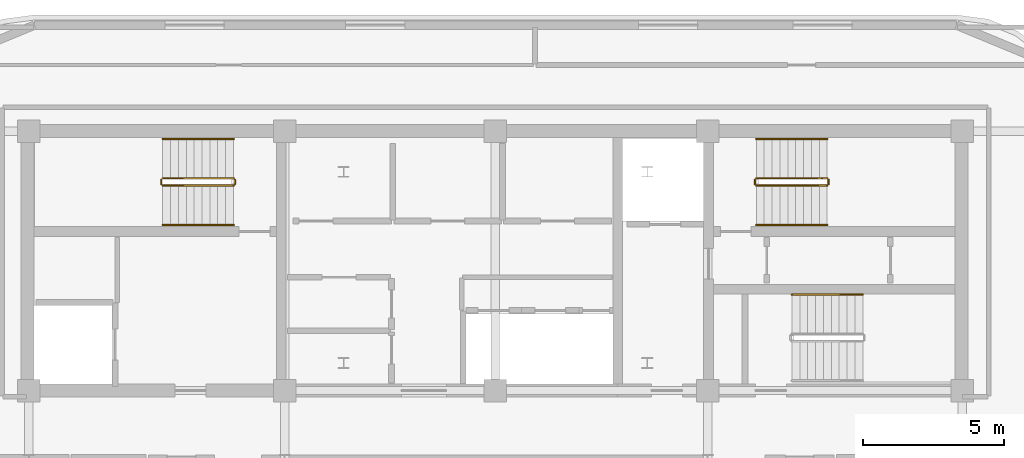
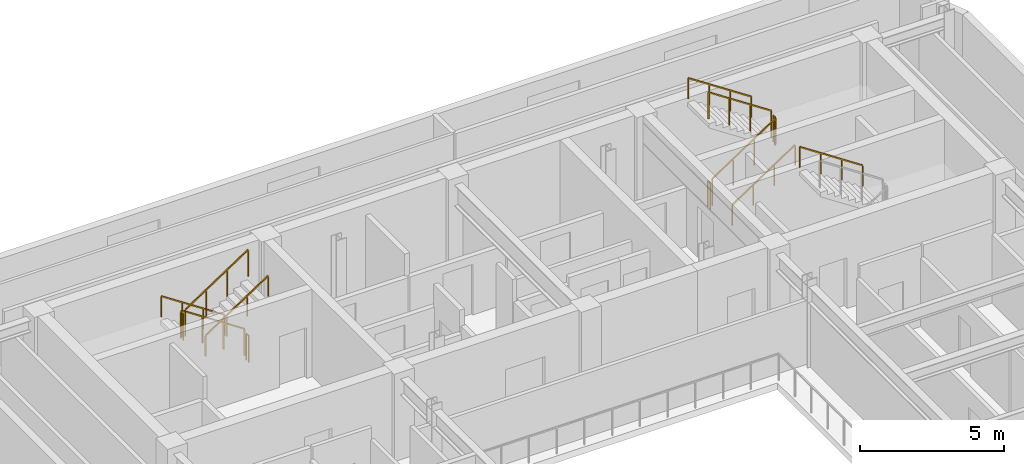
# One storey, part 13 of 13: 13 railings.
"""IFC4 building model written with IfcOpenShell, lengths in metres."""

from ifc_helpers import new_model, si_unit, direction, frame, origin, origin_2d, place, context, subcontext, project, spatial, rectangle, extrude, material, type_object, element, save


model = new_model("IFC4")

# Units and contexts
model_context = context("Model", 3, precision=1e-05, world=origin(), true_north=direction((0.0, 1.0)))
body_context = subcontext(model_context, "Body", "Model", "MODEL_VIEW")
ifc_project = project(units=[si_unit("LENGTHUNIT", "METRE"), si_unit("AREAUNIT", "SQUARE_METRE"), si_unit("VOLUMEUNIT", "CUBIC_METRE"), si_unit("PLANEANGLEUNIT", "RADIAN"), si_unit("MASSUNIT", "GRAM", prefix="KILO")], contexts=[model_context])

# Site, building, storey
site_placement = place(None, origin())
site = spatial("IfcSite", under=ifc_project, at=site_placement, CompositionType="ELEMENT")
building_placement = place(site_placement, origin())
building = spatial("IfcBuilding", under=site, at=building_placement, Name="Zarnavel Station Tower", CompositionType="ELEMENT")
storey_placement = place(building_placement, frame((0.0, 0.0, 254.699951171875)))
storey = spatial("IfcBuildingStorey", under=building, at=storey_placement, Name="L69", CompositionType="ELEMENT", Elevation=254.699951171875)

# Railings
ifc_material_1 = material(Name="Painted Steel S355J2 Balustrade", Category="steel")
railing_type_1 = type_object("IfcRailingType", Name="GR_INT_1150", PredefinedType="GUARDRAIL", material=ifc_material_1)
railing_1_placement = place(storey_placement, frame((19.47998046875, 35.3701171875, 0.18505859375)))
element("IfcRailing", 1, at=railing_1_placement, inside=storey, type_object=railing_type_1, Name="L69 ST1 stair guard 1", PredefinedType="GUARDRAIL", context=body_context, shape_type="SweptSolid", body=[
    extrude(rectangle(XDim=0.048095703125, YDim=0.048095703125, at=origin_2d()), frame((-0.001708984375, 0.0, 1.126953125), z_axis=(-0.834331337432, 0.0, 0.55126329406), x_axis=(0.0, -1.0, 0.0)), (0.0, 0.0, 1.0), 3.016357421875),
    extrude(rectangle(XDim=0.0419921875, YDim=0.0419921875, at=origin_2d()), origin(), (0.0, 0.0, 1.0), 1.101806640625),
    extrude(rectangle(XDim=0.0419921875, YDim=0.0419921875, at=origin_2d()), frame((-0.840087890625, 0.0, 0.554931640625)), (0.0, 0.0, 1.0), 1.101806640625),
    extrude(rectangle(XDim=0.0419921875, YDim=0.0419921875, at=origin_2d()), frame((-1.679931640625, 0.0, 1.110107421875)), (0.0, 0.0, 1.0), 1.101806640625),
    extrude(rectangle(XDim=0.0419921875, YDim=0.0419921875, at=origin_2d()), frame((-2.52001953125, 0.0, 1.6650390625)), (0.0, 0.0, 1.0), 1.101806640625),
])
railing_2_placement = place(storey_placement, frame((16.909912109375, 35.320068359375, 1.85009765625)))
element("IfcRailing", 2, at=railing_2_placement, inside=storey, type_object=railing_type_1, Name="L69 ST1 stair guard 2", PredefinedType="GUARDRAIL", context=body_context, shape_type="SweptSolid", body=[
    extrude(rectangle(XDim=0.048095703125, YDim=0.048095703125, at=origin_2d()), frame((0.0, -0.001953125, 1.1259765625), z_axis=(0.0, -1.0, 0.0), x_axis=(1.0, 0.0, 0.0)), (0.0, 0.0, 1.0), 0.15625),
    extrude(rectangle(XDim=0.0419921875, YDim=0.0419921875, at=origin_2d()), origin(), (0.0, 0.0, 1.0), 1.101806640625),
    extrude(rectangle(XDim=0.0419921875, YDim=0.0419921875, at=origin_2d()), frame((0.0, -0.16015625, 0.0)), (0.0, 0.0, 1.0), 1.101806640625),
])
railing_3_placement = place(storey_placement, frame((16.9599609375, 35.110107421875, 2.03515625)))
element("IfcRailing", 3, at=railing_3_placement, inside=storey, type_object=railing_type_1, Name="L69 ST1 stair guard 3", PredefinedType="GUARDRAIL", context=body_context, shape_type="SweptSolid", body=[
    extrude(rectangle(XDim=0.048095703125, YDim=0.048095703125, at=origin_2d()), frame((0.001708984375, 0.0, 1.126953125), z_axis=(0.83436851402, 0.0, 0.551207023552), x_axis=(0.0, 1.0, 0.0)), (0.0, 0.0, 1.0), 3.016357421875),
    extrude(rectangle(XDim=0.0419921875, YDim=0.0419921875, at=origin_2d()), origin(), (0.0, 0.0, 1.0), 1.101806640625),
    extrude(rectangle(XDim=0.0419921875, YDim=0.0419921875, at=origin_2d()), frame((0.840087890625, 0.0, 0.554931640625)), (0.0, 0.0, 1.0), 1.101806640625),
    extrude(rectangle(XDim=0.0419921875, YDim=0.0419921875, at=origin_2d()), frame((1.679931640625, 0.0, 1.10986328125)), (0.0, 0.0, 1.0), 1.101806640625),
    extrude(rectangle(XDim=0.0419921875, YDim=0.0419921875, at=origin_2d()), frame((2.52001953125, 0.0, 1.664794921875)), (0.0, 0.0, 1.0), 1.101806640625),
])
railing_4_placement = place(storey_placement, frame((19.530029296875, 35.320068359375, 0.0)))
element("IfcRailing", 4, at=railing_4_placement, inside=storey, type_object=railing_type_1, Name="L69 ST1 stair guard 4", PredefinedType="GUARDRAIL", context=body_context, shape_type="SweptSolid", body=[
    extrude(rectangle(XDim=0.048095703125, YDim=0.048095703125, at=origin_2d()), frame((0.0, -0.001953125, 1.1259765625), z_axis=(0.0, -1.0, 0.0), x_axis=(1.0, 0.0, 0.0)), (0.0, 0.0, 1.0), 0.15625),
    extrude(rectangle(XDim=0.0419921875, YDim=0.0419921875, at=origin_2d()), origin(), (0.0, 0.0, 1.0), 1.101806640625),
    extrude(rectangle(XDim=0.0419921875, YDim=0.0419921875, at=origin_2d()), frame((0.0, -0.16015625, 0.0)), (0.0, 0.0, 1.0), 1.101806640625),
])
railing_5_placement = place(storey_placement, frame((38.080078125, 35.110107421875, 0.18505859375)))
element("IfcRailing", 5, at=railing_5_placement, inside=storey, type_object=railing_type_1, Name="L69 ST2 stair guard 1", PredefinedType="GUARDRAIL", context=body_context, shape_type="SweptSolid", body=[
    extrude(rectangle(XDim=0.048095703125, YDim=0.048095703125, at=origin_2d()), frame((0.001708984375, 0.0, 1.126953125), z_axis=(0.834331337432, 0.0, 0.55126329406), x_axis=(0.0, 1.0, 0.0)), (0.0, 0.0, 1.0), 3.016357421875),
    extrude(rectangle(XDim=0.0419921875, YDim=0.0419921875, at=origin_2d()), origin(), (0.0, 0.0, 1.0), 1.101806640625),
    extrude(rectangle(XDim=0.0419921875, YDim=0.0419921875, at=origin_2d()), frame((0.840087890625, 0.0, 0.554931640625)), (0.0, 0.0, 1.0), 1.101806640625),
    extrude(rectangle(XDim=0.0419921875, YDim=0.0419921875, at=origin_2d()), frame((1.679931640625, 0.0, 1.110107421875)), (0.0, 0.0, 1.0), 1.101806640625),
    extrude(rectangle(XDim=0.0419921875, YDim=0.0419921875, at=origin_2d()), frame((2.52001953125, 0.0, 1.6650390625)), (0.0, 0.0, 1.0), 1.101806640625),
])
railing_6_placement = place(storey_placement, frame((40.64990234375, 35.159912109375, 1.85009765625)))
element("IfcRailing", 6, at=railing_6_placement, inside=storey, type_object=railing_type_1, Name="L69 ST2 stair guard 2", PredefinedType="GUARDRAIL", context=body_context, shape_type="SweptSolid", body=[
    extrude(rectangle(XDim=0.048095703125, YDim=0.048095703125, at=origin_2d()), frame((0.0, 0.001953125, 1.1259765625), z_axis=(0.0, 1.0, 0.0), x_axis=(-1.0, 0.0, 0.0)), (0.0, 0.0, 1.0), 0.15625),
    extrude(rectangle(XDim=0.0419921875, YDim=0.0419921875, at=origin_2d()), origin(), (0.0, 0.0, 1.0), 1.101806640625),
    extrude(rectangle(XDim=0.0419921875, YDim=0.0419921875, at=origin_2d()), frame((0.0, 0.16015625, 0.0)), (0.0, 0.0, 1.0), 1.101806640625),
])
railing_7_placement = place(storey_placement, frame((40.60009765625, 35.3701171875, 2.03515625)))
element("IfcRailing", 7, at=railing_7_placement, inside=storey, type_object=railing_type_1, Name="L69 ST2 stair guard 3", PredefinedType="GUARDRAIL", context=body_context, shape_type="SweptSolid", body=[
    extrude(rectangle(XDim=0.048095703125, YDim=0.048095703125, at=origin_2d()), frame((-0.001708984375, 0.0, 1.126953125), z_axis=(-0.83436851402, 0.0, 0.551207023552), x_axis=(0.0, -1.0, 0.0)), (0.0, 0.0, 1.0), 3.016357421875),
    extrude(rectangle(XDim=0.0419921875, YDim=0.0419921875, at=origin_2d()), origin(), (0.0, 0.0, 1.0), 1.101806640625),
    extrude(rectangle(XDim=0.0419921875, YDim=0.0419921875, at=origin_2d()), frame((-0.840087890625, 0.0, 0.554931640625)), (0.0, 0.0, 1.0), 1.101806640625),
    extrude(rectangle(XDim=0.0419921875, YDim=0.0419921875, at=origin_2d()), frame((-1.679931640625, 0.0, 1.10986328125)), (0.0, 0.0, 1.0), 1.101806640625),
    extrude(rectangle(XDim=0.0419921875, YDim=0.0419921875, at=origin_2d()), frame((-2.52001953125, 0.0, 1.664794921875)), (0.0, 0.0, 1.0), 1.101806640625),
])
railing_8_placement = place(storey_placement, frame((38.030029296875, 35.159912109375, 0.0)))
element("IfcRailing", 8, at=railing_8_placement, inside=storey, type_object=railing_type_1, Name="L69 ST2 stair guard 4", PredefinedType="GUARDRAIL", context=body_context, shape_type="SweptSolid", body=[
    extrude(rectangle(XDim=0.048095703125, YDim=0.048095703125, at=origin_2d()), frame((0.0, 0.001953125, 1.1259765625), z_axis=(0.0, 1.0, 0.0), x_axis=(-1.0, 0.0, 0.0)), (0.0, 0.0, 1.0), 0.15625),
    extrude(rectangle(XDim=0.0419921875, YDim=0.0419921875, at=origin_2d()), origin(), (0.0, 0.0, 1.0), 1.101806640625),
    extrude(rectangle(XDim=0.0419921875, YDim=0.0419921875, at=origin_2d()), frame((0.0, 0.16015625, 0.0)), (0.0, 0.0, 1.0), 1.101806640625),
])
ifc_material_2 = material(Name="Brushed Stainless Steel S355J2 Handrail", Category="steel")
railing_type_2 = type_object("IfcRailingType", Name="HR_STAIR_900", PredefinedType="HANDRAIL", material=ifc_material_2)
railing_9_placement = place(storey_placement, frame((19.47998046875, 36.77001953125, 0.18505859375)))
element("IfcRailing", 9, at=railing_9_placement, inside=storey, type_object=railing_type_2, Name="L69 ST1 stair handrail 1", PredefinedType="HANDRAIL", context=body_context, shape_type="SweptSolid", body=[
    extrude(rectangle(XDim=0.048095703125, YDim=0.048095703125, at=origin_2d()), frame((-0.001708984375, 0.0, 0.876953125), z_axis=(-0.834331337432, 0.0, 0.55126329406), x_axis=(0.0, -1.0, 0.0)), (0.0, 0.0, 1.0), 3.016357421875),
    extrude(rectangle(XDim=0.0419921875, YDim=0.0419921875, at=origin_2d()), origin(), (0.0, 0.0, 1.0), 0.851806640625),
    extrude(rectangle(XDim=0.0419921875, YDim=0.0419921875, at=origin_2d()), frame((-0.840087890625, 0.0, 0.554931640625)), (0.0, 0.0, 1.0), 0.851806640625),
    extrude(rectangle(XDim=0.0419921875, YDim=0.0419921875, at=origin_2d()), frame((-1.679931640625, 0.0, 1.110107421875)), (0.0, 0.0, 1.0), 0.851806640625),
    extrude(rectangle(XDim=0.0419921875, YDim=0.0419921875, at=origin_2d()), frame((-2.52001953125, 0.0, 1.6650390625)), (0.0, 0.0, 1.0), 0.851806640625),
])
railing_10_placement = place(storey_placement, frame((16.9599609375, 33.7099609375, 2.03515625)))
element("IfcRailing", 10, at=railing_10_placement, inside=storey, type_object=railing_type_2, Name="L69 ST1 stair handrail 2", PredefinedType="HANDRAIL", context=body_context, shape_type="SweptSolid", body=[
    extrude(rectangle(XDim=0.048095703125, YDim=0.048095703125, at=origin_2d()), frame((0.001708984375, 0.0, 0.876953125), z_axis=(0.83436851402, 0.0, 0.551207023552), x_axis=(0.0, 1.0, 0.0)), (0.0, 0.0, 1.0), 3.016357421875),
    extrude(rectangle(XDim=0.0419921875, YDim=0.0419921875, at=origin_2d()), origin(), (0.0, 0.0, 1.0), 0.851806640625),
    extrude(rectangle(XDim=0.0419921875, YDim=0.0419921875, at=origin_2d()), frame((0.840087890625, 0.0, 0.554931640625)), (0.0, 0.0, 1.0), 0.851806640625),
    extrude(rectangle(XDim=0.0419921875, YDim=0.0419921875, at=origin_2d()), frame((1.679931640625, 0.0, 1.10986328125)), (0.0, 0.0, 1.0), 0.851806640625),
    extrude(rectangle(XDim=0.0419921875, YDim=0.0419921875, at=origin_2d()), frame((2.52001953125, 0.0, 1.664794921875)), (0.0, 0.0, 1.0), 0.851806640625),
])
railing_11_placement = place(storey_placement, frame((38.080078125, 33.7099609375, 0.18505859375)))
element("IfcRailing", 11, at=railing_11_placement, inside=storey, type_object=railing_type_2, Name="L69 ST2 stair handrail 1", PredefinedType="HANDRAIL", context=body_context, shape_type="SweptSolid", body=[
    extrude(rectangle(XDim=0.048095703125, YDim=0.048095703125, at=origin_2d()), frame((0.001708984375, 0.0, 0.876953125), z_axis=(0.834331337432, 0.0, 0.55126329406), x_axis=(0.0, 1.0, 0.0)), (0.0, 0.0, 1.0), 3.016357421875),
    extrude(rectangle(XDim=0.0419921875, YDim=0.0419921875, at=origin_2d()), origin(), (0.0, 0.0, 1.0), 0.851806640625),
    extrude(rectangle(XDim=0.0419921875, YDim=0.0419921875, at=origin_2d()), frame((0.840087890625, 0.0, 0.554931640625)), (0.0, 0.0, 1.0), 0.851806640625),
    extrude(rectangle(XDim=0.0419921875, YDim=0.0419921875, at=origin_2d()), frame((1.679931640625, 0.0, 1.110107421875)), (0.0, 0.0, 1.0), 0.851806640625),
    extrude(rectangle(XDim=0.0419921875, YDim=0.0419921875, at=origin_2d()), frame((2.52001953125, 0.0, 1.6650390625)), (0.0, 0.0, 1.0), 0.851806640625),
])
for number, where, name in (
    (12, (40.60009765625, 36.77001953125, 2.03515625), "L69 ST2 stair handrail 2"),
    (13, (41.8701171875, 31.22998046875, 2.03515625), "L69 ST3 stair handrail 2"),
):
    element("IfcRailing", number, at=place(storey_placement, frame(where)), inside=storey, type_object=railing_type_2, Name=name, PredefinedType="HANDRAIL", context=body_context, shape_type="SweptSolid", body=[
        extrude(rectangle(XDim=0.048095703125, YDim=0.048095703125, at=origin_2d()), frame((-0.001708984375, 0.0, 0.876953125), z_axis=(-0.83436851402, 0.0, 0.551207023552), x_axis=(0.0, -1.0, 0.0)), (0.0, 0.0, 1.0), 3.016357421875),
        extrude(rectangle(XDim=0.0419921875, YDim=0.0419921875, at=origin_2d()), origin(), (0.0, 0.0, 1.0), 0.851806640625),
        extrude(rectangle(XDim=0.0419921875, YDim=0.0419921875, at=origin_2d()), frame((-0.840087890625, 0.0, 0.554931640625)), (0.0, 0.0, 1.0), 0.851806640625),
        extrude(rectangle(XDim=0.0419921875, YDim=0.0419921875, at=origin_2d()), frame((-1.679931640625, 0.0, 1.10986328125)), (0.0, 0.0, 1.0), 0.851806640625),
        extrude(rectangle(XDim=0.0419921875, YDim=0.0419921875, at=origin_2d()), frame((-2.52001953125, 0.0, 1.664794921875)), (0.0, 0.0, 1.0), 0.851806640625),
    ])

save(model, "model.ifc")
